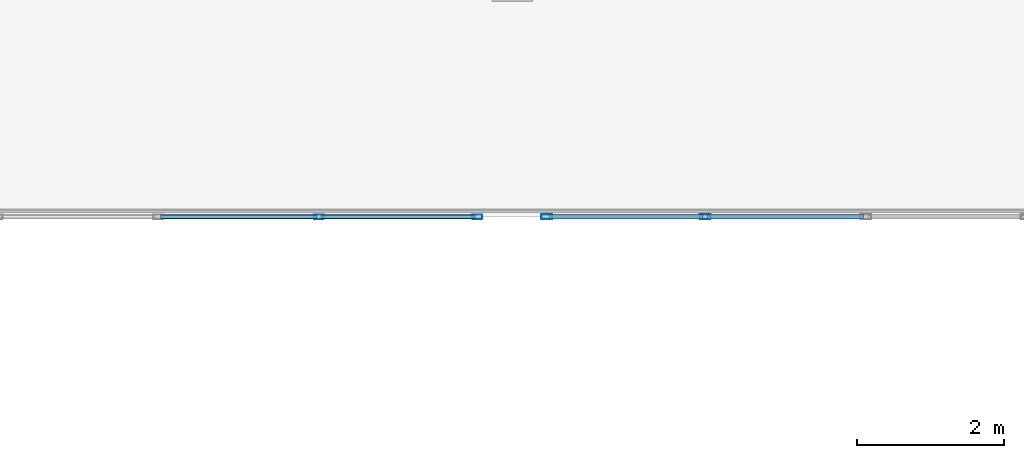
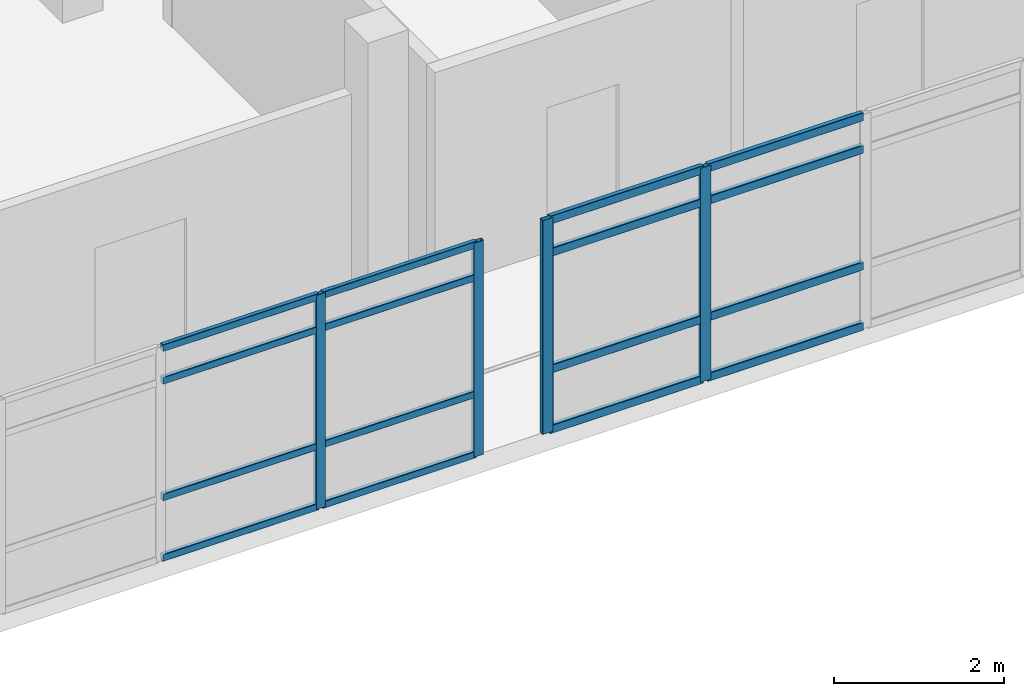
# One storey, part 19 of 50: 20 members, 2 elements without a shape of their own.
"""IFC4 building model written with IfcOpenShell, lengths in metres."""

from ifc_helpers import new_model, si_unit, direction, frame, origin, origin_2d, place, context, subcontext, project, spatial, hollow_rectangle, extrude, material, layer, layer_set, material_profile, profile_set, type_object, element, aggregate, save


model = new_model("IFC4")

# Units and contexts
model_context = context("Model", 3, precision=1e-05, world=origin(), true_north=direction((0.0, 1.0)))
body_context = subcontext(model_context, "Body", "Model", "MODEL_VIEW")
ifc_project = project(units=[si_unit("LENGTHUNIT", "METRE"), si_unit("AREAUNIT", "SQUARE_METRE"), si_unit("VOLUMEUNIT", "CUBIC_METRE"), si_unit("PLANEANGLEUNIT", "RADIAN"), si_unit("MASSUNIT", "GRAM", prefix="KILO")], contexts=[model_context])

# Site, building, storey
site_placement = place(None, origin())
site = spatial("IfcSite", under=ifc_project, at=site_placement, CompositionType="ELEMENT")
building_placement = place(site_placement, origin())
building = spatial("IfcBuilding", under=site, at=building_placement, Name="Asteropetra Specialist Clinic", CompositionType="ELEMENT")
storey_placement = place(building_placement, frame((0.0, 0.0, 16.659912109375)))
storey = spatial("IfcBuildingStorey", under=building, at=storey_placement, Name="L04", CompositionType="ELEMENT", Elevation=16.659912109375)

# Curtain wall, members
ifc_material_1 = material(Name="Aluminium and low-E glass", Category="aluminium")
ifc_layer_1 = layer(ifc_material_1, 0.135009765625)
ifc_layer_set_1 = layer_set([ifc_layer_1], Name="Aluminium and low-E glass")
curtain_wall_type_1 = type_object("IfcCurtainWallType", Name="CW-SYS-03", PredefinedType="USERDEFINED", material=ifc_layer_set_1)
curtain_wall_1_placement = place(storey_placement, origin())
curtain_wall_1 = element("IfcCurtainWall", 1, at=curtain_wall_1_placement, inside=storey, type_object=curtain_wall_type_1, Name="Curtain Wall CW-050", ObjectType="UNITISED CURTAIN WALL", PredefinedType="USERDEFINED")
ifc_material_2 = material(Name="Aluminium 6063-T6", Category="aluminium")
ifc_material_profile_1 = material_profile(ifc_material_2, hollow_rectangle(XDim=0.06005859375, YDim=0.135009765625, WallThickness=0.00341796875, InnerFilletRadius=0.00341796875, OuterFilletRadius=0.007080078125, at=origin_2d()), Name="MUL 135x60x3.5")
ifc_profile_set_1 = profile_set([ifc_material_profile_1], Name="Aluminium 6063-T6")
member_type_1 = type_object("IfcMemberType", Name="CWM-135x60", PredefinedType="MULLION", material=ifc_profile_set_1)
member_1_placement = place(storey_placement, frame((18.72998046875, 95.199951171875, 0.0), z_axis=(0.0, 0.0, 1.0), x_axis=(0.0, -1.0, 0.0)))
member_1 = element("IfcMember", 2, at=member_1_placement, type_object=member_type_1, Name="CW-050 mullion 1", PredefinedType="MULLION", context=body_context, shape_type="SweptSolid", body=[
    extrude(hollow_rectangle(XDim=0.06005859375, YDim=0.135009765625, WallThickness=0.00341796875, InnerFilletRadius=0.00341796875, OuterFilletRadius=0.007080078125, at=origin_2d()), origin(), (0.0, 0.0, 1.0), 3.080078125),
])
member_2_placement = place(storey_placement, frame((16.580078125, 95.199951171875, 0.0), z_axis=(0.0, 0.0, 1.0), x_axis=(0.0, -1.0, 0.0)))
member_2 = element("IfcMember", 3, at=member_2_placement, type_object=member_type_1, Name="CW-050 mullion 2", PredefinedType="MULLION", context=body_context, shape_type="SweptSolid", body=[
    extrude(hollow_rectangle(XDim=0.06005859375, YDim=0.135009765625, WallThickness=0.00341796875, InnerFilletRadius=0.00341796875, OuterFilletRadius=0.007080078125, at=origin_2d()), origin(), (0.0, 0.0, 1.0), 3.080078125),
])

ifc_material_3 = material(Name="Aluminium and low-E glass", Category="aluminium")
ifc_layer_2 = layer(ifc_material_3, 0.179931640625)
ifc_layer_set_2 = layer_set([ifc_layer_2], Name="Aluminium and low-E glass")
curtain_wall_type_2 = type_object("IfcCurtainWallType", Name="CW-SYS-04", PredefinedType="USERDEFINED", material=ifc_layer_set_2)
curtain_wall_2_placement = place(storey_placement, origin())
curtain_wall_2 = element("IfcCurtainWall", 4, at=curtain_wall_2_placement, inside=storey, type_object=curtain_wall_type_2, Name="Curtain Wall CW-052", ObjectType="UNITISED CURTAIN WALL", PredefinedType="USERDEFINED")
ifc_material_4 = material(Name="Aluminium 6063-T6", Category="aluminium")
ifc_material_profile_2 = material_profile(ifc_material_4, hollow_rectangle(XDim=0.06494140625, YDim=0.14990234375, WallThickness=0.00390625, InnerFilletRadius=0.00390625, OuterFilletRadius=0.008056640625, at=origin_2d()), Name="MUL 150x65x4.0")
ifc_profile_set_2 = profile_set([ifc_material_profile_2], Name="Aluminium 6063-T6")
member_type_2 = type_object("IfcMemberType", Name="CWM-150x65", PredefinedType="MULLION", material=ifc_profile_set_2)
member_3_placement = place(storey_placement, frame((21.820068359375, 95.199951171875, 0.0), z_axis=(0.0, 0.0, 1.0), x_axis=(0.0, -1.0, 0.0)))
member_3 = element("IfcMember", 5, at=member_3_placement, type_object=member_type_2, Name="CW-052 mullion 4", PredefinedType="MULLION", context=body_context, shape_type="SweptSolid", body=[
    extrude(hollow_rectangle(XDim=0.06494140625, YDim=0.14990234375, WallThickness=0.00390625, InnerFilletRadius=0.00390625, OuterFilletRadius=0.008056640625, at=origin_2d()), origin(), (0.0, 0.0, 1.0), 3.080078125),
])
member_4_placement = place(storey_placement, frame((19.672607421875, 95.199951171875, 0.0), z_axis=(0.0, 0.0, 1.0), x_axis=(0.0, -1.0, 0.0)))
member_4 = element("IfcMember", 6, at=member_4_placement, type_object=member_type_2, Name="CW-052 mullion 5", PredefinedType="MULLION", context=body_context, shape_type="SweptSolid", body=[
    extrude(hollow_rectangle(XDim=0.06494140625, YDim=0.14990234375, WallThickness=0.00390625, InnerFilletRadius=0.00390625, OuterFilletRadius=0.008056640625, at=origin_2d()), origin(), (0.0, 0.0, 1.0), 3.080078125),
])

# Member
ifc_material_5 = material(Name="Aluminium 6063-T6", Category="aluminium")
ifc_material_profile_3 = material_profile(ifc_material_5, hollow_rectangle(XDim=0.06005859375, YDim=0.10009765625, WallThickness=0.00341796875, InnerFilletRadius=0.00341796875, OuterFilletRadius=0.007080078125, at=origin_2d()), Name="TRN 100x60x3.5")
ifc_profile_set_3 = profile_set([ifc_material_profile_3], Name="Aluminium 6063-T6")
member_type_3 = type_object("IfcMemberType", Name="CWT-100x60", PredefinedType="USERDEFINED", material=ifc_profile_set_3)
member_5_placement = place(storey_placement, frame((18.699951171875, 95.199951171875, 0.030029296875), z_axis=(-1.0, 0.0, 0.0), x_axis=(0.0, -1.0, 0.0)))
member_5 = element("IfcMember", 7, at=member_5_placement, type_object=member_type_3, Name="CW-050 transom 1.1", ObjectType="TRANSOM", PredefinedType="USERDEFINED", context=body_context, shape_type="SweptSolid", body=[
    extrude(hollow_rectangle(XDim=0.06005859375, YDim=0.10009765625, WallThickness=0.00341796875, InnerFilletRadius=0.00341796875, OuterFilletRadius=0.007080078125, at=origin_2d()), origin(), (0.0, 0.0, 1.0), 2.08984375),
])

member_6_placement = place(storey_placement, frame((18.699951171875, 95.199951171875, 0.900146484375), z_axis=(-1.0, 0.0, 0.0), x_axis=(0.0, -1.0, 0.0)))
member_6 = element("IfcMember", 8, at=member_6_placement, type_object=member_type_3, Name="CW-050 transom 1.2", ObjectType="TRANSOM", PredefinedType="USERDEFINED", context=body_context, shape_type="SweptSolid", body=[
    extrude(hollow_rectangle(XDim=0.06005859375, YDim=0.10009765625, WallThickness=0.00341796875, InnerFilletRadius=0.00341796875, OuterFilletRadius=0.007080078125, at=origin_2d()), origin(), (0.0, 0.0, 1.0), 2.08984375),
])

member_7_placement = place(storey_placement, frame((18.699951171875, 95.199951171875, 2.580078125), z_axis=(-1.0, 0.0, 0.0), x_axis=(0.0, -1.0, 0.0)))
member_7 = element("IfcMember", 9, at=member_7_placement, type_object=member_type_3, Name="CW-050 transom 1.3", ObjectType="TRANSOM", PredefinedType="USERDEFINED", context=body_context, shape_type="SweptSolid", body=[
    extrude(hollow_rectangle(XDim=0.06005859375, YDim=0.10009765625, WallThickness=0.00341796875, InnerFilletRadius=0.00341796875, OuterFilletRadius=0.007080078125, at=origin_2d()), origin(), (0.0, 0.0, 1.0), 2.08984375),
])

member_8_placement = place(storey_placement, frame((18.699951171875, 95.199951171875, 3.050048828125), z_axis=(-1.0, 0.0, 0.0), x_axis=(0.0, -1.0, 0.0)))
member_8 = element("IfcMember", 10, at=member_8_placement, type_object=member_type_3, Name="CW-050 transom 1.4", ObjectType="TRANSOM", PredefinedType="USERDEFINED", context=body_context, shape_type="SweptSolid", body=[
    extrude(hollow_rectangle(XDim=0.06005859375, YDim=0.10009765625, WallThickness=0.00341796875, InnerFilletRadius=0.00341796875, OuterFilletRadius=0.007080078125, at=origin_2d()), origin(), (0.0, 0.0, 1.0), 2.08984375),
])

member_9_placement = place(storey_placement, frame((16.550048828125, 95.199951171875, 0.030029296875), z_axis=(-1.0, 0.0, 0.0), x_axis=(0.0, -1.0, 0.0)))
member_9 = element("IfcMember", 11, at=member_9_placement, type_object=member_type_3, Name="CW-050 transom 2.1", ObjectType="TRANSOM", PredefinedType="USERDEFINED", context=body_context, shape_type="SweptSolid", body=[
    extrude(hollow_rectangle(XDim=0.06005859375, YDim=0.10009765625, WallThickness=0.00341796875, InnerFilletRadius=0.00341796875, OuterFilletRadius=0.007080078125, at=origin_2d()), origin(), (0.0, 0.0, 1.0), 2.1201171875),
])

member_10_placement = place(storey_placement, frame((16.550048828125, 95.199951171875, 0.900146484375), z_axis=(-1.0, 0.0, 0.0), x_axis=(0.0, -1.0, 0.0)))
member_10 = element("IfcMember", 12, at=member_10_placement, type_object=member_type_3, Name="CW-050 transom 2.2", ObjectType="TRANSOM", PredefinedType="USERDEFINED", context=body_context, shape_type="SweptSolid", body=[
    extrude(hollow_rectangle(XDim=0.06005859375, YDim=0.10009765625, WallThickness=0.00341796875, InnerFilletRadius=0.00341796875, OuterFilletRadius=0.007080078125, at=origin_2d()), origin(), (0.0, 0.0, 1.0), 2.1201171875),
])

member_11_placement = place(storey_placement, frame((16.550048828125, 95.199951171875, 2.580078125), z_axis=(-1.0, 0.0, 0.0), x_axis=(0.0, -1.0, 0.0)))
member_11 = element("IfcMember", 13, at=member_11_placement, type_object=member_type_3, Name="CW-050 transom 2.3", ObjectType="TRANSOM", PredefinedType="USERDEFINED", context=body_context, shape_type="SweptSolid", body=[
    extrude(hollow_rectangle(XDim=0.06005859375, YDim=0.10009765625, WallThickness=0.00341796875, InnerFilletRadius=0.00341796875, OuterFilletRadius=0.007080078125, at=origin_2d()), origin(), (0.0, 0.0, 1.0), 2.1201171875),
])

member_12_placement = place(storey_placement, frame((16.550048828125, 95.199951171875, 3.050048828125), z_axis=(-1.0, 0.0, 0.0), x_axis=(0.0, -1.0, 0.0)))
member_12 = element("IfcMember", 14, at=member_12_placement, type_object=member_type_3, Name="CW-050 transom 2.4", ObjectType="TRANSOM", PredefinedType="USERDEFINED", context=body_context, shape_type="SweptSolid", body=[
    extrude(hollow_rectangle(XDim=0.06005859375, YDim=0.10009765625, WallThickness=0.00341796875, InnerFilletRadius=0.00341796875, OuterFilletRadius=0.007080078125, at=origin_2d()), origin(), (0.0, 0.0, 1.0), 2.1201171875),
])

aggregate(curtain_wall_1, [member_1, member_2, member_5, member_6, member_7, member_8, member_9, member_10, member_11, member_12])

ifc_material_6 = material(Name="Aluminium 6063-T6", Category="aluminium")
ifc_material_profile_4 = material_profile(ifc_material_6, hollow_rectangle(XDim=0.06494140625, YDim=0.1201171875, WallThickness=0.00390625, InnerFilletRadius=0.00390625, OuterFilletRadius=0.008056640625, at=origin_2d()), Name="TRN 120x65x4.0")
ifc_profile_set_4 = profile_set([ifc_material_profile_4], Name="Aluminium 6063-T6")
member_type_4 = type_object("IfcMemberType", Name="CWT-120x65", PredefinedType="USERDEFINED", material=ifc_profile_set_4)
member_13_placement = place(storey_placement, frame((23.967529296875, 95.199951171875, 0.032470703125), z_axis=(-1.0, 0.0, 0.0), x_axis=(0.0, -1.0, 0.0)))
member_13 = element("IfcMember", 15, at=member_13_placement, type_object=member_type_4, Name="CW-052 transom 3.1", ObjectType="TRANSOM", PredefinedType="USERDEFINED", context=body_context, shape_type="SweptSolid", body=[
    extrude(hollow_rectangle(XDim=0.06494140625, YDim=0.1201171875, WallThickness=0.00390625, InnerFilletRadius=0.00390625, OuterFilletRadius=0.008056640625, at=origin_2d()), origin(), (0.0, 0.0, 1.0), 2.114990234375),
])

member_14_placement = place(storey_placement, frame((23.967529296875, 95.199951171875, 0.900146484375), z_axis=(-1.0, 0.0, 0.0), x_axis=(0.0, -1.0, 0.0)))
member_14 = element("IfcMember", 16, at=member_14_placement, type_object=member_type_4, Name="CW-052 transom 3.2", ObjectType="TRANSOM", PredefinedType="USERDEFINED", context=body_context, shape_type="SweptSolid", body=[
    extrude(hollow_rectangle(XDim=0.06494140625, YDim=0.1201171875, WallThickness=0.00390625, InnerFilletRadius=0.00390625, OuterFilletRadius=0.008056640625, at=origin_2d()), origin(), (0.0, 0.0, 1.0), 2.114990234375),
])

member_15_placement = place(storey_placement, frame((23.967529296875, 95.199951171875, 2.580078125), z_axis=(-1.0, 0.0, 0.0), x_axis=(0.0, -1.0, 0.0)))
member_15 = element("IfcMember", 17, at=member_15_placement, type_object=member_type_4, Name="CW-052 transom 3.3", ObjectType="TRANSOM", PredefinedType="USERDEFINED", context=body_context, shape_type="SweptSolid", body=[
    extrude(hollow_rectangle(XDim=0.06494140625, YDim=0.1201171875, WallThickness=0.00390625, InnerFilletRadius=0.00390625, OuterFilletRadius=0.008056640625, at=origin_2d()), origin(), (0.0, 0.0, 1.0), 2.114990234375),
])

member_16_placement = place(storey_placement, frame((23.967529296875, 95.199951171875, 3.047607421875), z_axis=(-1.0, 0.0, 0.0), x_axis=(0.0, -1.0, 0.0)))
member_16 = element("IfcMember", 18, at=member_16_placement, type_object=member_type_4, Name="CW-052 transom 3.4", ObjectType="TRANSOM", PredefinedType="USERDEFINED", context=body_context, shape_type="SweptSolid", body=[
    extrude(hollow_rectangle(XDim=0.06494140625, YDim=0.1201171875, WallThickness=0.00390625, InnerFilletRadius=0.00390625, OuterFilletRadius=0.008056640625, at=origin_2d()), origin(), (0.0, 0.0, 1.0), 2.114990234375),
])

member_17_placement = place(storey_placement, frame((21.78759765625, 95.199951171875, 0.032470703125), z_axis=(-1.0, 0.0, 0.0), x_axis=(0.0, -1.0, 0.0)))
member_17 = element("IfcMember", 19, at=member_17_placement, type_object=member_type_4, Name="CW-052 transom 4.1", ObjectType="TRANSOM", PredefinedType="USERDEFINED", context=body_context, shape_type="SweptSolid", body=[
    extrude(hollow_rectangle(XDim=0.06494140625, YDim=0.1201171875, WallThickness=0.00390625, InnerFilletRadius=0.00390625, OuterFilletRadius=0.008056640625, at=origin_2d()), origin(), (0.0, 0.0, 1.0), 2.08251953125),
])

member_18_placement = place(storey_placement, frame((21.78759765625, 95.199951171875, 0.900146484375), z_axis=(-1.0, 0.0, 0.0), x_axis=(0.0, -1.0, 0.0)))
member_18 = element("IfcMember", 20, at=member_18_placement, type_object=member_type_4, Name="CW-052 transom 4.2", ObjectType="TRANSOM", PredefinedType="USERDEFINED", context=body_context, shape_type="SweptSolid", body=[
    extrude(hollow_rectangle(XDim=0.06494140625, YDim=0.1201171875, WallThickness=0.00390625, InnerFilletRadius=0.00390625, OuterFilletRadius=0.008056640625, at=origin_2d()), origin(), (0.0, 0.0, 1.0), 2.08251953125),
])

member_19_placement = place(storey_placement, frame((21.78759765625, 95.199951171875, 2.580078125), z_axis=(-1.0, 0.0, 0.0), x_axis=(0.0, -1.0, 0.0)))
member_19 = element("IfcMember", 21, at=member_19_placement, type_object=member_type_4, Name="CW-052 transom 4.3", ObjectType="TRANSOM", PredefinedType="USERDEFINED", context=body_context, shape_type="SweptSolid", body=[
    extrude(hollow_rectangle(XDim=0.06494140625, YDim=0.1201171875, WallThickness=0.00390625, InnerFilletRadius=0.00390625, OuterFilletRadius=0.008056640625, at=origin_2d()), origin(), (0.0, 0.0, 1.0), 2.08251953125),
])

member_20_placement = place(storey_placement, frame((21.78759765625, 95.199951171875, 3.047607421875), z_axis=(-1.0, 0.0, 0.0), x_axis=(0.0, -1.0, 0.0)))
member_20 = element("IfcMember", 22, at=member_20_placement, type_object=member_type_4, Name="CW-052 transom 4.4", ObjectType="TRANSOM", PredefinedType="USERDEFINED", context=body_context, shape_type="SweptSolid", body=[
    extrude(hollow_rectangle(XDim=0.06494140625, YDim=0.1201171875, WallThickness=0.00390625, InnerFilletRadius=0.00390625, OuterFilletRadius=0.008056640625, at=origin_2d()), origin(), (0.0, 0.0, 1.0), 2.08251953125),
])

aggregate(curtain_wall_2, [member_3, member_4, member_13, member_14, member_15, member_16, member_17, member_18, member_19, member_20])

save(model, "model.ifc")
